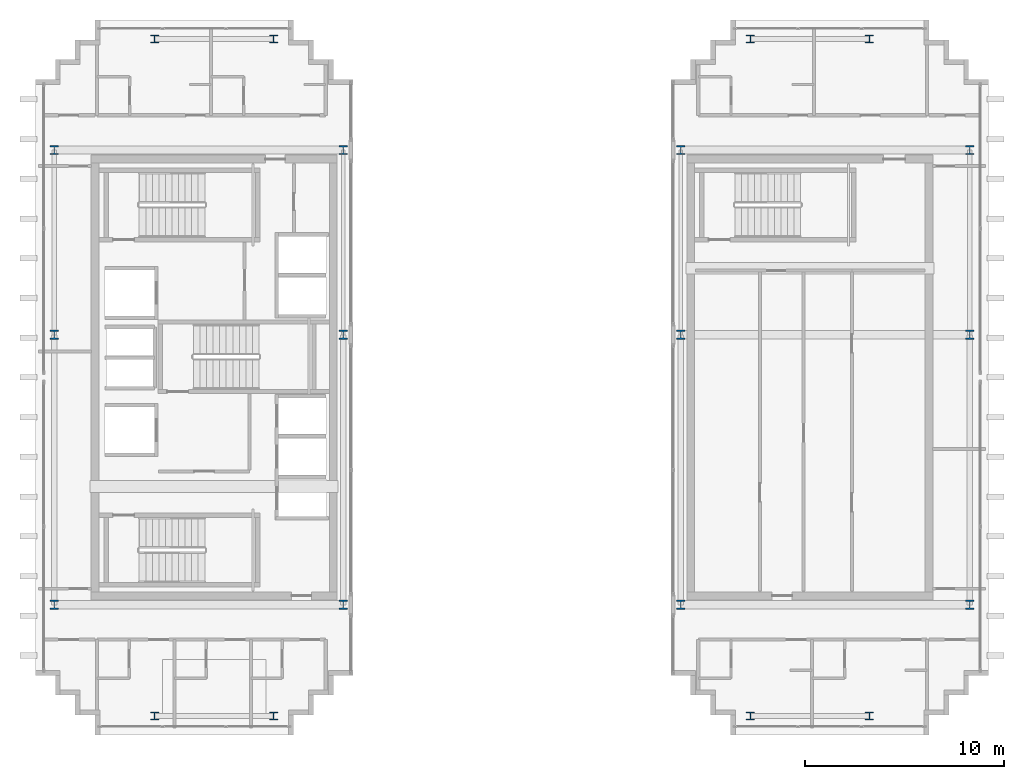
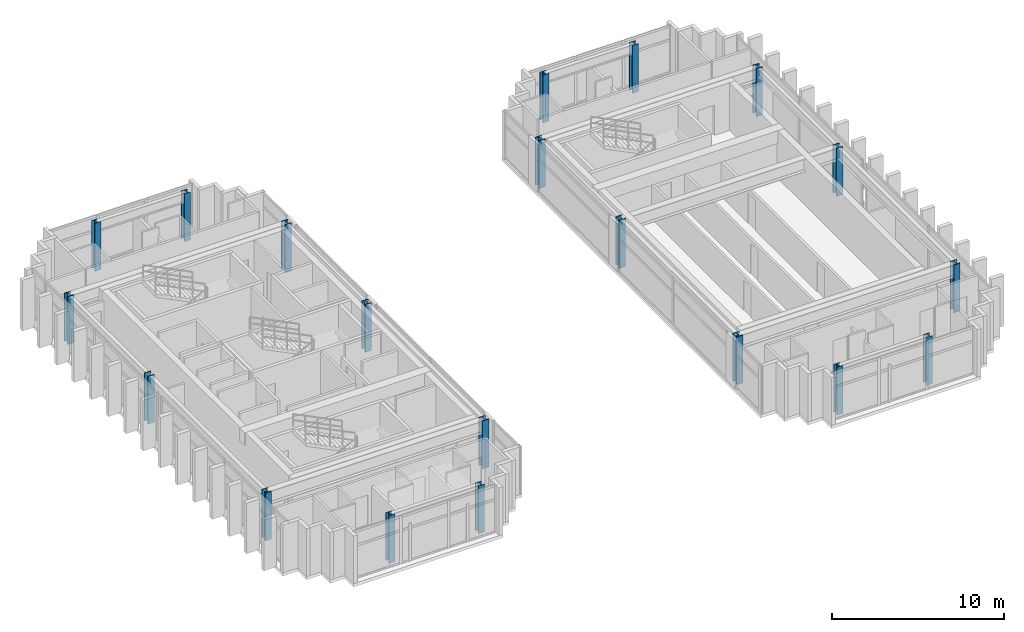
# One storey, part 1 of 25: 20 columns.
"""IFC4 building model written with IfcOpenShell, lengths in metres."""

from ifc_helpers import new_model, si_unit, direction, frame, origin, origin_2d, place, context, subcontext, project, spatial, i_section, extrude, source, transform, mapped, material, material_profile, profile_set, type_object, element, save


model = new_model("IFC4")

# Units and contexts
model_context = context("Model", 3, precision=1e-05, world=origin(), true_north=direction((0.0, 1.0)))
body_context = subcontext(model_context, "Body", "Model", "MODEL_VIEW")
ifc_project = project(units=[si_unit("LENGTHUNIT", "METRE"), si_unit("AREAUNIT", "SQUARE_METRE"), si_unit("VOLUMEUNIT", "CUBIC_METRE"), si_unit("PLANEANGLEUNIT", "RADIAN"), si_unit("MASSUNIT", "GRAM", prefix="KILO")], contexts=[model_context])

# Site, building, storey
site_placement = place(None, origin())
site = spatial("IfcSite", under=ifc_project, at=site_placement, CompositionType="ELEMENT")
building_placement = place(site_placement, origin())
building = spatial("IfcBuilding", under=site, at=building_placement, Name="Ocotamira Hotel", CompositionType="ELEMENT")
storey_placement = place(building_placement, frame((0.0, 0.0, 254.39990234375)))
storey = spatial("IfcBuildingStorey", under=building, at=storey_placement, Name="L64", CompositionType="ELEMENT", Elevation=254.39990234375)

# Columns
ifc_material_1 = material(Name="Steel ASTM A913 Grade 65", Category="steel")
ifc_material_profile_1 = material_profile(ifc_material_1, i_section(OverallWidth=0.422119140625, OverallDepth=0.465087890625, WebThickness=0.044921875, FlangeThickness=0.072509765625, FilletRadius=0.02490234375, at=origin_2d()), Name="W14X398")
ifc_profile_set_1 = profile_set([ifc_material_profile_1], Name="Steel ASTM A913 Grade 65")
column_type_1 = type_object("IfcColumnType", Name="COL-W14X398", PredefinedType="COLUMN", material=ifc_profile_set_1)
shared_shape_1 = source(origin(), body_context, "Body", "SweptSolid", [
    extrude(i_section(OverallWidth=0.422119140625, OverallDepth=0.465087890625, WebThickness=0.044921875, FlangeThickness=0.072509765625, FilletRadius=0.02490234375, at=origin_2d()), origin(), (0.0, 0.0, 1.0), 3.380126953125),
])
for number, where, z_axis, x_axis, name in (
    (1, (8.949951171875, 14.550048828125, 0.0), (0.0, 0.0, 1.0), (1.0, 0.0, 0.0), "L64 Column TW8_14"),
    (2, (23.5, 14.550048828125, 0.0), (0.0, 0.0, 1.0), (1.0, 0.0, 0.0), "L64 Column TW23_14"),
    (3, (40.5, 14.550048828125, 0.0), (0.0, 0.0, 1.0), (1.0, 0.0, 0.0), "L64 Column TE40_14"),
    (4, (55.050048828125, 14.550048828125, 0.0), (0.0, 0.0, 1.0), (1.0, 0.0, 0.0), "L64 Column TE55_14"),
    (5, (8.949951171875, 28.14990234375, 0.0), (0.0, 0.0, 1.0), (1.0, 0.0, 0.0), "L64 Column TW8_28"),
    (6, (23.5, 28.14990234375, 0.0), (0.0, 0.0, 1.0), (1.0, 0.0, 0.0), "L64 Column TW23_28"),
    (7, (40.5, 28.14990234375, 0.0), (0.0, 0.0, 1.0), (1.0, 0.0, 0.0), "L64 Column TE40_28"),
    (8, (55.050048828125, 28.14990234375, 0.0), (0.0, 0.0, 1.0), (1.0, 0.0, 0.0), "L64 Column TE55_28"),
    (9, (8.949951171875, 37.449951171875, 0.0), (0.0, 0.0, 1.0), (1.0, 0.0, 0.0), "L64 Column TW8_37"),
    (10, (23.5, 37.449951171875, 0.0), (0.0, 0.0, 1.0), (1.0, 0.0, 0.0), "L64 Column TW23_37"),
    (11, (40.5, 37.449951171875, 0.0), (0.0, 0.0, 1.0), (1.0, 0.0, 0.0), "L64 Column TE40_37"),
    (12, (55.050048828125, 37.449951171875, 0.0), (0.0, 0.0, 1.0), (1.0, 0.0, 0.0), "L64 Column TE55_37"),
):
    element("IfcColumn", number, at=place(storey_placement, frame(where, z_axis=z_axis, x_axis=x_axis)), inside=storey, type_object=column_type_1, Name=name, PredefinedType="COLUMN", context=body_context, shape_type="MappedRepresentation", body=[
        mapped(shared_shape_1, transform((0.0, 0.0, 0.0), scale=1.0)),
    ])
ifc_material_2 = material(Name="Steel ASTM A992 Grade 50", Category="steel")
ifc_material_profile_2 = material_profile(ifc_material_2, i_section(OverallWidth=0.39892578125, OverallDepth=0.386962890625, WebThickness=0.02099609375, FlangeThickness=0.033203125, FilletRadius=0.02490234375, at=origin_2d()), Name="W14X176")
ifc_profile_set_2 = profile_set([ifc_material_profile_2], Name="Steel ASTM A992 Grade 50")
column_type_2 = type_object("IfcColumnType", Name="COL-W14X176", PredefinedType="COLUMN", material=ifc_profile_set_2)
shared_shape_2 = source(origin(), body_context, "Body", "SweptSolid", [
    extrude(i_section(OverallWidth=0.39892578125, OverallDepth=0.386962890625, WebThickness=0.02099609375, FlangeThickness=0.033203125, FilletRadius=0.02490234375, at=origin_2d()), origin(), (0.0, 0.0, 1.0), 3.380126953125),
])
for number, where, z_axis, x_axis, name in (
    (13, (14.0, 8.949951171875, 0.0), (0.0, 0.0, 1.0), (1.0, 0.0, 0.0), "L64 Column NSP1_14"),
    (14, (20.0, 8.949951171875, 0.0), (0.0, 0.0, 1.0), (1.0, 0.0, 0.0), "L64 Column NSP1_20"),
    (15, (44.0, 8.949951171875, 0.0), (0.0, 0.0, 1.0), (1.0, 0.0, 0.0), "L64 Column NSP1_44"),
    (16, (50.0, 8.949951171875, 0.0), (0.0, 0.0, 1.0), (1.0, 0.0, 0.0), "L64 Column NSP1_50"),
    (17, (14.0, 43.050048828125, 0.0), (0.0, 0.0, 1.0), (1.0, 0.0, 0.0), "L64 Column NSP2_14"),
    (18, (20.0, 43.050048828125, 0.0), (0.0, 0.0, 1.0), (1.0, 0.0, 0.0), "L64 Column NSP2_20"),
    (19, (44.0, 43.050048828125, 0.0), (0.0, 0.0, 1.0), (1.0, 0.0, 0.0), "L64 Column NSP2_44"),
    (20, (50.0, 43.050048828125, 0.0), (0.0, 0.0, 1.0), (1.0, 0.0, 0.0), "L64 Column NSP2_50"),
):
    element("IfcColumn", number, at=place(storey_placement, frame(where, z_axis=z_axis, x_axis=x_axis)), inside=storey, type_object=column_type_2, Name=name, PredefinedType="COLUMN", context=body_context, shape_type="MappedRepresentation", body=[
        mapped(shared_shape_2, transform((0.0, 0.0, 0.0), scale=1.0)),
    ])

save(model, "model.ifc")
